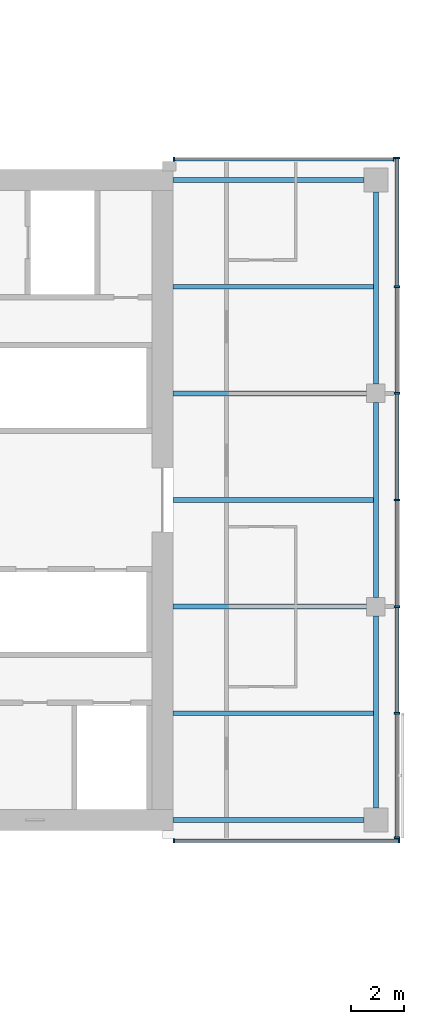
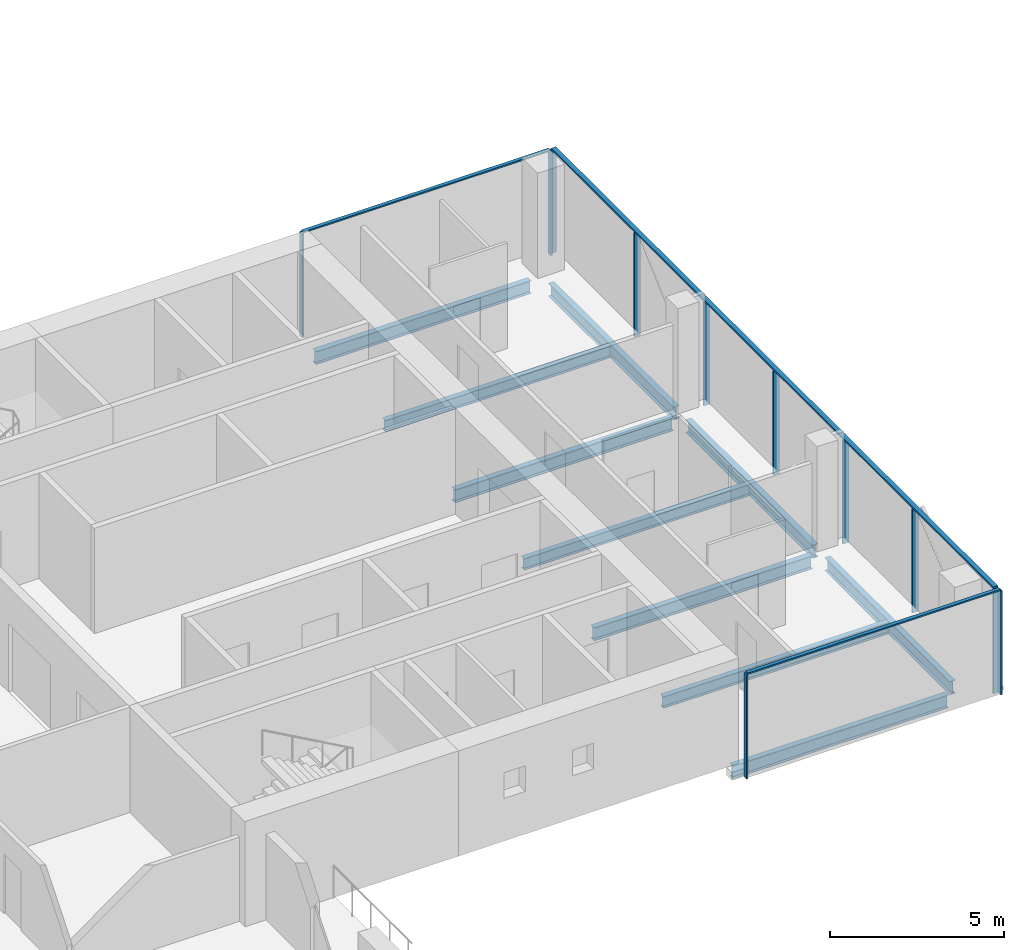
# One storey, part 11 of 27: 14 members, 10 beams, 3 elements without a shape of their own.
"""IFC4 building model written with IfcOpenShell, lengths in metres."""

from ifc_helpers import new_model, si_unit, direction, frame, origin, origin_2d, place, context, subcontext, project, spatial, rectangle, i_section, extrude, material, material_profile, profile_set, type_object, element, aggregate, save


model = new_model("IFC4")

# Units and contexts
model_context = context("Model", 3, precision=1e-05, world=origin(), true_north=direction((0.0, 1.0)))
body_context = subcontext(model_context, "Body", "Model", "MODEL_VIEW")
ifc_project = project(units=[si_unit("LENGTHUNIT", "METRE"), si_unit("AREAUNIT", "SQUARE_METRE"), si_unit("VOLUMEUNIT", "CUBIC_METRE"), si_unit("PLANEANGLEUNIT", "RADIAN"), si_unit("MASSUNIT", "GRAM", prefix="KILO")], contexts=[model_context])

# Site, building, storey
site_placement = place(None, origin())
site = spatial("IfcSite", under=ifc_project, at=site_placement, CompositionType="ELEMENT")
building_placement = place(site_placement, origin())
building = spatial("IfcBuilding", under=site, at=building_placement, Name="Crosswind Convention Tower", CompositionType="ELEMENT")
storey_placement = place(building_placement, frame((0.0, 0.0, 75.699951171875)))
storey = spatial("IfcBuildingStorey", under=building, at=storey_placement, Name="L13", CompositionType="ELEMENT", Elevation=75.699951171875)

# Beams
ifc_material_1 = material(Name="Steel S355", Category="steel")
ifc_material_profile_1 = material_profile(ifc_material_1, i_section(OverallWidth=0.1904296875, OverallDepth=0.457275390625, WebThickness=0.009033203125, FlangeThickness=0.014404296875, FilletRadius=0.01025390625, at=origin_2d()), Name="UB 457x191x75")
ifc_profile_set_1 = profile_set([ifc_material_profile_1], Name="Steel S355")
beam_type_1 = type_object("IfcBeamType", Name="Edge beam UB 457x191x75", PredefinedType="SPANDREL", material=ifc_profile_set_1)
for number, where, z_axis, x_axis, name in (
    (1, (153.39990234375, 88.0, -0.508544921875), (1.0, 0.0, 0.0), (0.0, 1.0, 0.0), "B17 L13 edge beam 24"),
    (2, (153.39990234375, 112.0, -0.508544921875), (1.0, 0.0, 0.0), (0.0, 1.0, 0.0), "B17 L13 edge beam 25"),
):
    element("IfcBeam", number, at=place(storey_placement, frame(where, z_axis=z_axis, x_axis=x_axis)), inside=storey, type_object=beam_type_1, Name=name, PredefinedType="SPANDREL", context=body_context, shape_type="SweptSolid", body=[
        extrude(i_section(OverallWidth=0.1904296875, OverallDepth=0.457275390625, WebThickness=0.009033203125, FlangeThickness=0.014404296875, FilletRadius=0.01025390625, at=origin_2d()), origin(), (0.0, 0.0, 1.0), 7.150146484375),
    ])
beam_1_placement = place(storey_placement, frame((161.0, 88.449951171875, -0.508544921875), z_axis=(0.0, 1.0, 0.0), x_axis=(-1.0, 0.0, 0.0)))
element("IfcBeam", 3, at=beam_1_placement, inside=storey, type_object=beam_type_1, Name="B17 L13 edge beam 26", PredefinedType="SPANDREL", context=body_context, shape_type="SweptSolid", body=[
    extrude(i_section(OverallWidth=0.1904296875, OverallDepth=0.457275390625, WebThickness=0.009033203125, FlangeThickness=0.014404296875, FilletRadius=0.01025390625, at=origin_2d()), origin(), (0.0, 0.0, 1.0), 7.199951171875),
])
beam_2_placement = place(storey_placement, frame((161.0, 96.35009765625, -0.508544921875), z_axis=(0.0, 1.0, 0.0), x_axis=(-1.0, 0.0, 0.0)))
element("IfcBeam", 4, at=beam_2_placement, inside=storey, type_object=beam_type_1, Name="B17 L13 edge beam 27", PredefinedType="SPANDREL", context=body_context, shape_type="SweptSolid", body=[
    extrude(i_section(OverallWidth=0.1904296875, OverallDepth=0.457275390625, WebThickness=0.009033203125, FlangeThickness=0.014404296875, FilletRadius=0.01025390625, at=origin_2d()), origin(), (0.0, 0.0, 1.0), 7.2998046875),
])
beam_3_placement = place(storey_placement, frame((161.0, 104.35009765625, -0.508544921875), z_axis=(0.0, 1.0, 0.0), x_axis=(-1.0, 0.0, 0.0)))
element("IfcBeam", 5, at=beam_3_placement, inside=storey, type_object=beam_type_1, Name="B17 L13 edge beam 28", PredefinedType="SPANDREL", context=body_context, shape_type="SweptSolid", body=[
    extrude(i_section(OverallWidth=0.1904296875, OverallDepth=0.457275390625, WebThickness=0.009033203125, FlangeThickness=0.014404296875, FilletRadius=0.01025390625, at=origin_2d()), origin(), (0.0, 0.0, 1.0), 7.199951171875),
])
ifc_material_profile_2 = material_profile(ifc_material_1, i_section(OverallWidth=0.19189453125, OverallDepth=0.463623046875, WebThickness=0.010498046875, FlangeThickness=0.017578125, FilletRadius=0.01025390625, at=origin_2d()), Name="UB 457x191x90")
ifc_profile_set_2 = profile_set([ifc_material_profile_2], Name="Steel S355")
beam_type_2 = type_object("IfcBeamType", Name="Girder at core wall UB 457x191x90", PredefinedType="BEAM", material=ifc_profile_set_2)
for number, where, z_axis, x_axis, name in (
    (6, (153.39990234375, 96.0, -0.51171875), (1.0, 0.0, 0.0), (0.0, 1.0, 0.0), "B24 L13 girder at core wall 11"),
    (7, (153.39990234375, 104.0, -0.51171875), (1.0, 0.0, 0.0), (0.0, 1.0, 0.0), "B24 L13 girder at core wall 12"),
):
    element("IfcBeam", number, at=place(storey_placement, frame(where, z_axis=z_axis, x_axis=x_axis)), inside=storey, type_object=beam_type_2, Name=name, PredefinedType="BEAM", context=body_context, shape_type="SweptSolid", body=[
        extrude(i_section(OverallWidth=0.19189453125, OverallDepth=0.463623046875, WebThickness=0.010498046875, FlangeThickness=0.017578125, FilletRadius=0.01025390625, at=origin_2d()), origin(), (0.0, 0.0, 1.0), 7.25),
    ])

# Curtain wall, members
ifc_material_2 = material(Name="Aluminium unitised curtain wall", Category="aluminium")
curtain_wall_type_1 = type_object("IfcCurtainWallType", Name="CORE END SLOT WALL 160", PredefinedType="USERDEFINED", material=ifc_material_2)
curtain_wall_1_placement = place(storey_placement, origin())
curtain_wall_1 = element("IfcCurtainWall", 8, at=curtain_wall_1_placement, inside=storey, type_object=curtain_wall_type_1, Name="CW6 L13 E-N.1-1 slot", ObjectType="UNITISED", PredefinedType="USERDEFINED")
ifc_material_3 = material(Name="Aluminium mullion", Category="aluminium")
ifc_material_profile_3 = material_profile(ifc_material_3, rectangle(XDim=0.159912109375, YDim=0.050048828125, at=origin_2d()), Name="AL 160X50")
ifc_profile_set_3 = profile_set([ifc_material_profile_3], Name="Aluminium mullion")
member_type_1 = type_object("IfcMemberType", Name="MULLION 50X160", PredefinedType="MULLION", material=ifc_profile_set_3)
member_1_placement = place(storey_placement, frame((161.675048828125, 112.780029296875, -0.280029296875), z_axis=(0.0, 0.0, 1.0), x_axis=(0.0, 1.0, 0.0)))
member_1 = element("IfcMember", 9, at=member_1_placement, type_object=member_type_1, Name="CW6 mullion 1", PredefinedType="MULLION", context=body_context, shape_type="SweptSolid", body=[
    extrude(rectangle(XDim=0.159912109375, YDim=0.050048828125, at=origin_2d()), origin(), (0.0, 0.0, 1.0), 3.650146484375),
])
member_2_placement = place(storey_placement, frame((153.425048828125, 112.780029296875, -0.280029296875), z_axis=(0.0, 0.0, 1.0), x_axis=(0.0, 1.0, 0.0)))
member_2 = element("IfcMember", 10, at=member_2_placement, type_object=member_type_1, Name="CW6 mullion 2", PredefinedType="MULLION", context=body_context, shape_type="SweptSolid", body=[
    extrude(rectangle(XDim=0.159912109375, YDim=0.050048828125, at=origin_2d()), origin(), (0.0, 0.0, 1.0), 3.650146484375),
])

curtain_wall_2_placement = place(storey_placement, origin())
curtain_wall_2 = element("IfcCurtainWall", 11, at=curtain_wall_2_placement, inside=storey, type_object=curtain_wall_type_1, Name="CW6 L13 E-S.2-1 slot", ObjectType="UNITISED", PredefinedType="USERDEFINED")
member_3_placement = place(storey_placement, frame((153.425048828125, 87.219970703125, -0.280029296875), z_axis=(0.0, 0.0, 1.0), x_axis=(0.0, -1.0, 0.0)))
member_3 = element("IfcMember", 12, at=member_3_placement, type_object=member_type_1, Name="CW6 mullion 1", PredefinedType="MULLION", context=body_context, shape_type="SweptSolid", body=[
    extrude(rectangle(XDim=0.159912109375, YDim=0.050048828125, at=origin_2d()), origin(), (0.0, 0.0, 1.0), 3.650146484375),
])
member_4_placement = place(storey_placement, frame((161.875, 87.219970703125, -0.280029296875), z_axis=(0.0, 0.0, 1.0), x_axis=(0.0, -1.0, 0.0)))
member_4 = element("IfcMember", 13, at=member_4_placement, type_object=member_type_1, Name="CW6 mullion 2", PredefinedType="MULLION", context=body_context, shape_type="SweptSolid", body=[
    extrude(rectangle(XDim=0.159912109375, YDim=0.050048828125, at=origin_2d()), origin(), (0.0, 0.0, 1.0), 3.650146484375),
])

curtain_wall_type_2 = type_object("IfcCurtainWallType", Name="HOTEL UNITISED WALL 200", PredefinedType="USERDEFINED", material=ifc_material_2)
curtain_wall_3_placement = place(storey_placement, origin())
curtain_wall_3 = element("IfcCurtainWall", 14, at=curtain_wall_3_placement, inside=storey, type_object=curtain_wall_type_2, Name="CW2 L13 E-TIP 1", ObjectType="UNITISED", PredefinedType="USERDEFINED")
ifc_material_profile_4 = material_profile(ifc_material_3, rectangle(XDim=0.199951171875, YDim=0.06494140625, at=origin_2d()), Name="AL 200X65")
ifc_profile_set_4 = profile_set([ifc_material_profile_4], Name="Aluminium mullion")
member_type_2 = type_object("IfcMemberType", Name="MULLION 65X200", PredefinedType="MULLION", material=ifc_profile_set_4)
member_5_placement = place(storey_placement, frame((161.800048828125, 87.33251953125, -0.280029296875), z_axis=(0.0, 0.0, 1.0), x_axis=(1.0, 0.0, 0.0)))
member_5 = element("IfcMember", 15, at=member_5_placement, type_object=member_type_2, Name="CW2 mullion 1", PredefinedType="MULLION", context=body_context, shape_type="SweptSolid", body=[
    extrude(rectangle(XDim=0.199951171875, YDim=0.06494140625, at=origin_2d()), origin(), (0.0, 0.0, 1.0), 3.635009765625),
])
member_6_placement = place(storey_placement, frame((161.800048828125, 92.0, -0.280029296875), z_axis=(0.0, 0.0, 1.0), x_axis=(1.0, 0.0, 0.0)))
member_6 = element("IfcMember", 16, at=member_6_placement, type_object=member_type_2, Name="CW2 mullion 2", PredefinedType="MULLION", context=body_context, shape_type="SweptSolid", body=[
    extrude(rectangle(XDim=0.199951171875, YDim=0.06494140625, at=origin_2d()), origin(), (0.0, 0.0, 1.0), 3.635009765625),
])
member_7_placement = place(storey_placement, frame((161.800048828125, 96.0, -0.280029296875), z_axis=(0.0, 0.0, 1.0), x_axis=(1.0, 0.0, 0.0)))
member_7 = element("IfcMember", 17, at=member_7_placement, type_object=member_type_2, Name="CW2 mullion 3", PredefinedType="MULLION", context=body_context, shape_type="SweptSolid", body=[
    extrude(rectangle(XDim=0.199951171875, YDim=0.06494140625, at=origin_2d()), origin(), (0.0, 0.0, 1.0), 3.635009765625),
])
member_8_placement = place(storey_placement, frame((161.800048828125, 100.0, -0.280029296875), z_axis=(0.0, 0.0, 1.0), x_axis=(1.0, 0.0, 0.0)))
member_8 = element("IfcMember", 18, at=member_8_placement, type_object=member_type_2, Name="CW2 mullion 4", PredefinedType="MULLION", context=body_context, shape_type="SweptSolid", body=[
    extrude(rectangle(XDim=0.199951171875, YDim=0.06494140625, at=origin_2d()), origin(), (0.0, 0.0, 1.0), 3.635009765625),
])
member_9_placement = place(storey_placement, frame((161.800048828125, 104.0, -0.280029296875), z_axis=(0.0, 0.0, 1.0), x_axis=(1.0, 0.0, 0.0)))
member_9 = element("IfcMember", 19, at=member_9_placement, type_object=member_type_2, Name="CW2 mullion 5", PredefinedType="MULLION", context=body_context, shape_type="SweptSolid", body=[
    extrude(rectangle(XDim=0.199951171875, YDim=0.06494140625, at=origin_2d()), origin(), (0.0, 0.0, 1.0), 3.635009765625),
])
member_10_placement = place(storey_placement, frame((161.800048828125, 108.0, -0.280029296875), z_axis=(0.0, 0.0, 1.0), x_axis=(1.0, 0.0, 0.0)))
member_10 = element("IfcMember", 20, at=member_10_placement, type_object=member_type_2, Name="CW2 mullion 6", PredefinedType="MULLION", context=body_context, shape_type="SweptSolid", body=[
    extrude(rectangle(XDim=0.199951171875, YDim=0.06494140625, at=origin_2d()), origin(), (0.0, 0.0, 1.0), 3.635009765625),
])
member_11_placement = place(storey_placement, frame((161.800048828125, 112.827392578125, -0.280029296875), z_axis=(0.0, 0.0, 1.0), x_axis=(1.0, 0.0, 0.0)))
member_11 = element("IfcMember", 21, at=member_11_placement, type_object=member_type_2, Name="CW2 mullion 7", PredefinedType="MULLION", context=body_context, shape_type="SweptSolid", body=[
    extrude(rectangle(XDim=0.199951171875, YDim=0.06494140625, at=origin_2d()), origin(), (0.0, 0.0, 1.0), 3.635009765625),
])

# Beams
ifc_material_profile_5 = material_profile(ifc_material_1, i_section(OverallWidth=0.177734375, OverallDepth=0.406494140625, WebThickness=0.0078125, FlangeThickness=0.0126953125, FilletRadius=0.01025390625, at=origin_2d()), Name="UB 406x178x60")
ifc_profile_set_5 = profile_set([ifc_material_profile_5], Name="Steel S355")
beam_type_3 = type_object("IfcBeamType", Name="Secondary beam UB 406x178x60", PredefinedType="JOIST", material=ifc_profile_set_5)
for number, where, z_axis, x_axis, name in (
    (22, (153.39990234375, 92.0, -0.483154296875), (1.0, 0.0, 0.0), (0.0, 1.0, 0.0), "B10 L13 secondary beam 31"),
    (23, (153.39990234375, 100.0, -0.483154296875), (1.0, 0.0, 0.0), (0.0, 1.0, 0.0), "B10 L13 secondary beam 32"),
    (24, (153.39990234375, 108.0, -0.483154296875), (1.0, 0.0, 0.0), (0.0, 1.0, 0.0), "B10 L13 secondary beam 33"),
):
    element("IfcBeam", number, at=place(storey_placement, frame(where, z_axis=z_axis, x_axis=x_axis)), inside=storey, type_object=beam_type_3, Name=name, PredefinedType="JOIST", context=body_context, shape_type="SweptSolid", body=[
        extrude(i_section(OverallWidth=0.177734375, OverallDepth=0.406494140625, WebThickness=0.0078125, FlangeThickness=0.0126953125, FilletRadius=0.01025390625, at=origin_2d()), origin(), (0.0, 0.0, 1.0), 7.5048828125),
    ])

# Member
ifc_material_4 = material(Name="Aluminium transom", Category="aluminium")
ifc_material_profile_6 = material_profile(ifc_material_4, rectangle(XDim=0.1201171875, YDim=0.050048828125, at=origin_2d()), Name="AL 120X50")
ifc_profile_set_6 = profile_set([ifc_material_profile_6], Name="Aluminium transom")
member_type_3 = type_object("IfcMemberType", Name="TRANSOM 50X120", PredefinedType="USERDEFINED", material=ifc_profile_set_6)
member_12_placement = place(storey_placement, frame((161.64990234375, 112.780029296875, 3.39501953125), z_axis=(-1.0, 0.0, 0.0), x_axis=(0.0, -1.0, 0.0)))
member_12 = element("IfcMember", 25, at=member_12_placement, type_object=member_type_3, Name="CW6 transom", ObjectType="TRANSOM", PredefinedType="USERDEFINED", context=body_context, shape_type="SweptSolid", body=[
    extrude(rectangle(XDim=0.1201171875, YDim=0.050048828125, at=origin_2d()), origin(), (0.0, 0.0, 1.0), 8.199951171875),
])

aggregate(curtain_wall_1, [member_1, member_2, member_12])

member_13_placement = place(storey_placement, frame((153.449951171875, 87.219970703125, 3.39501953125), z_axis=(1.0, 0.0, 0.0), x_axis=(0.0, 1.0, 0.0)))
member_13 = element("IfcMember", 26, at=member_13_placement, type_object=member_type_3, Name="CW6 transom", ObjectType="TRANSOM", PredefinedType="USERDEFINED", context=body_context, shape_type="SweptSolid", body=[
    extrude(rectangle(XDim=0.1201171875, YDim=0.050048828125, at=origin_2d()), origin(), (0.0, 0.0, 1.0), 8.400146484375),
])

aggregate(curtain_wall_2, [member_3, member_4, member_13])

ifc_material_profile_7 = material_profile(ifc_material_4, rectangle(XDim=0.14990234375, YDim=0.06494140625, at=origin_2d()), Name="AL 150X65")
ifc_profile_set_7 = profile_set([ifc_material_profile_7], Name="Aluminium transom")
member_type_4 = type_object("IfcMemberType", Name="TRANSOM 65X150", PredefinedType="USERDEFINED", material=ifc_profile_set_7)
member_14_placement = place(storey_placement, frame((161.800048828125, 87.364990234375, 3.387451171875), z_axis=(0.0, 1.0, 0.0), x_axis=(-1.0, 0.0, 0.0)))
member_14 = element("IfcMember", 27, at=member_14_placement, type_object=member_type_4, Name="CW2 transom", ObjectType="TRANSOM", PredefinedType="USERDEFINED", context=body_context, shape_type="SweptSolid", body=[
    extrude(rectangle(XDim=0.14990234375, YDim=0.06494140625, at=origin_2d()), origin(), (0.0, 0.0, 1.0), 25.429931640625),
])

aggregate(curtain_wall_3, [member_5, member_6, member_7, member_8, member_9, member_10, member_11, member_14])

save(model, "model.ifc")
